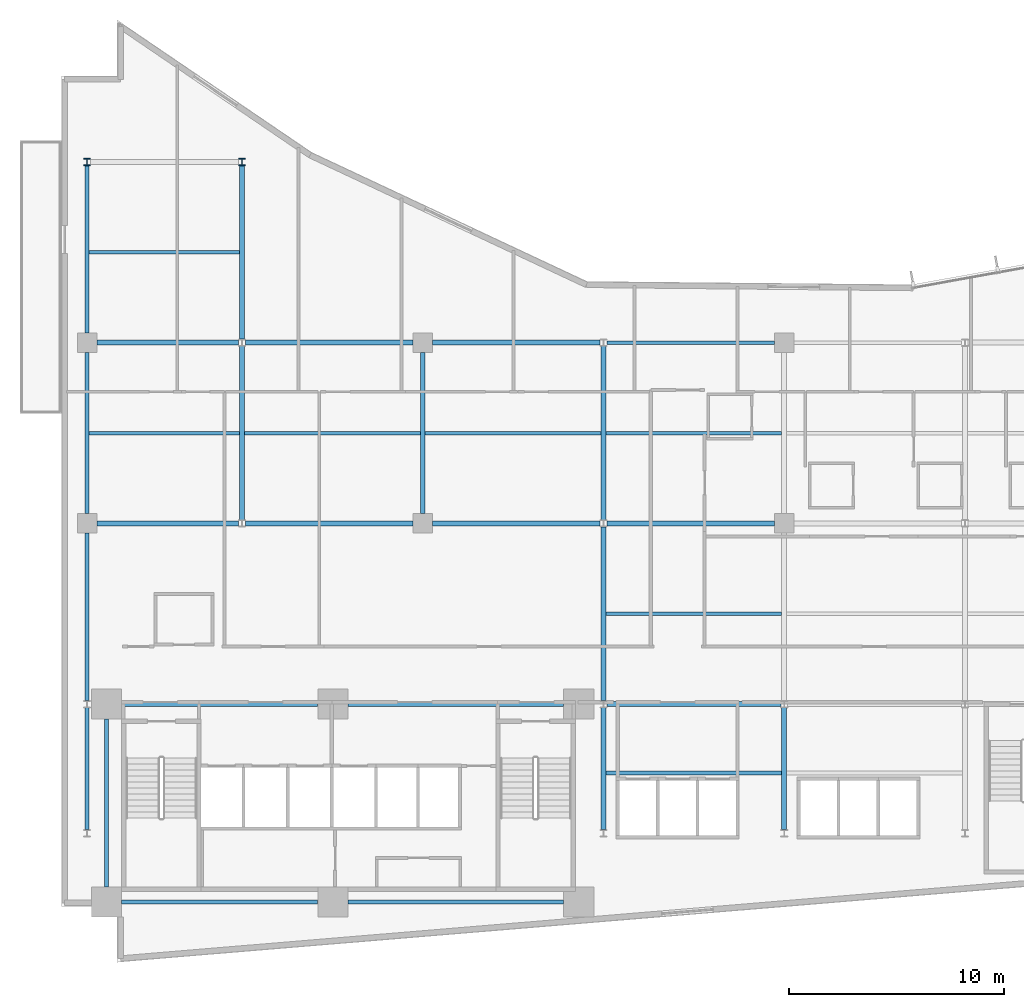
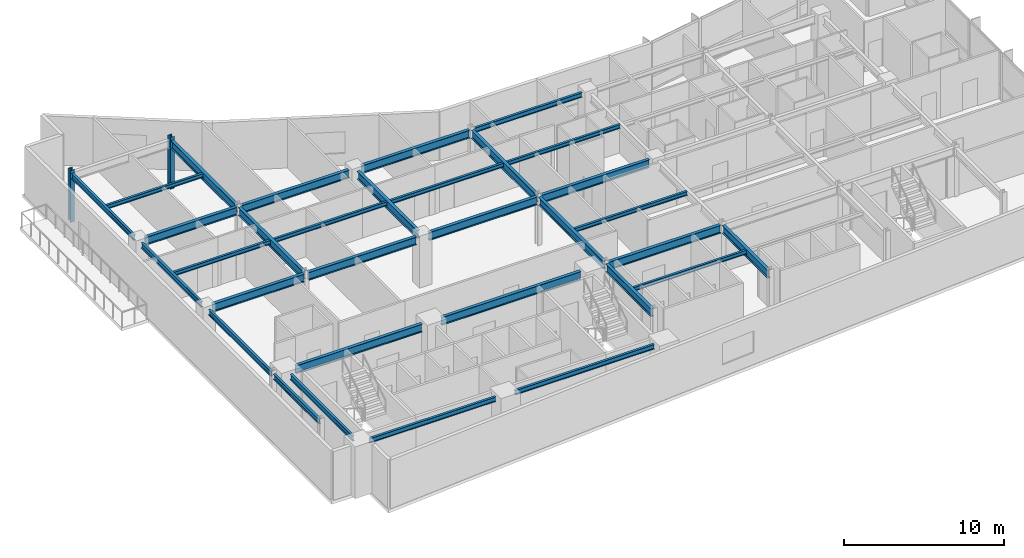
# One storey, part 3 of 22: 32 beams, 2 columns.
"""IFC4 building model written with IfcOpenShell, lengths in metres."""

from ifc_helpers import new_model, si_unit, direction, frame, origin, origin_2d, place, context, subcontext, project, spatial, i_section, extrude, material, material_profile, profile_set, type_object, element, save


model = new_model("IFC4")

# Units and contexts
model_context = context("Model", 3, precision=1e-05, world=origin(), true_north=direction((0.0, 1.0)))
body_context = subcontext(model_context, "Body", "Model", "MODEL_VIEW")
ifc_project = project(units=[si_unit("LENGTHUNIT", "METRE"), si_unit("AREAUNIT", "SQUARE_METRE"), si_unit("VOLUMEUNIT", "CUBIC_METRE"), si_unit("PLANEANGLEUNIT", "RADIAN"), si_unit("MASSUNIT", "GRAM", prefix="KILO")], contexts=[model_context])

# Site, building, storey
site_placement = place(None, origin())
site = spatial("IfcSite", under=ifc_project, at=site_placement, CompositionType="ELEMENT")
building_placement = place(site_placement, origin())
building = spatial("IfcBuilding", under=site, at=building_placement, Name="Varnakote Quay Hospital", CompositionType="ELEMENT")
storey_placement = place(building_placement, frame((0.0, 0.0, 62.0)))
storey = spatial("IfcBuildingStorey", under=building, at=storey_placement, Name="L15", CompositionType="ELEMENT", Elevation=62.0)

# Columns
ifc_material_1 = material(Name="Structural steel AS/NZS 3679.1 Grade 350 L0 (fy 340 MPa)", Category="steel")
ifc_material_profile_1 = material_profile(ifc_material_1, i_section(OverallWidth=0.31103515625, OverallDepth=0.326904296875, WebThickness=0.015625, FlangeThickness=0.02490234375, FilletRadius=0.0166015625, at=origin_2d()), Name="310UC158")
ifc_profile_set_1 = profile_set([ifc_material_profile_1], Name="Structural steel AS/NZS 3679.1 Grade 350 L0 (fy 340 MPa)")
column_type = type_object("IfcColumnType", Name="COL-STL-310UC158", PredefinedType="COLUMN", material=ifc_profile_set_1)
for number, where, z_axis, x_axis, name in (
    (1, (1.199951171875, 37.199951171875, 0.0), (0.0, 0.0, 1.0), (1.0, 0.0, 0.0), "L15 Structural Column C-1-37"),
    (2, (8.39990234375, 37.199951171875, 0.0), (0.0, 0.0, 1.0), (1.0, 0.0, 0.0), "L15 Structural Column C-8-37"),
):
    element("IfcColumn", number, at=place(storey_placement, frame(where, z_axis=z_axis, x_axis=x_axis)), inside=storey, type_object=column_type, Name=name, PredefinedType="COLUMN", context=body_context, shape_type="SweptSolid", body=[
        extrude(i_section(OverallWidth=0.31103515625, OverallDepth=0.326904296875, WebThickness=0.015625, FlangeThickness=0.02490234375, FilletRadius=0.0166015625, at=origin_2d()), origin(), (0.0, 0.0, 1.0), 3.949951171875),
    ])

# Beams
ifc_material_2 = material(Name="Structural steel AS/NZS 3679.1 Grade 350 L0 (fy 340 MPa)", Category="steel")
ifc_material_profile_2 = material_profile(ifc_material_2, i_section(OverallWidth=0.22900390625, OverallDepth=0.612060546875, WebThickness=0.011962890625, FlangeThickness=0.01953125, FilletRadius=0.013916015625, at=origin_2d()), Name="610UB125")
ifc_profile_set_2 = profile_set([ifc_material_profile_2], Name="Structural steel AS/NZS 3679.1 Grade 350 L0 (fy 340 MPa)")
beam_type_1 = type_object("IfcBeamType", Name="BM-STL-610UB125", PredefinedType="BEAM", material=ifc_profile_set_2)
beam_1_placement = place(storey_placement, frame((2.800048828125, 12.0, 3.404052734375), z_axis=(1.0, 0.0, 0.0), x_axis=(0.0, 1.0, 0.0)))
element("IfcBeam", 3, at=beam_1_placement, inside=storey, type_object=beam_type_1, Name="L15 Primary Floor Beam", PredefinedType="BEAM", context=body_context, shape_type="SweptSolid", body=[
    extrude(i_section(OverallWidth=0.22900390625, OverallDepth=0.612060546875, WebThickness=0.011962890625, FlangeThickness=0.01953125, FilletRadius=0.013916015625, at=origin_2d()), origin(), (0.0, 0.0, 1.0), 9.119873046875),
])
beam_2_placement = place(storey_placement, frame((13.320068359375, 12.0, 3.404052734375), z_axis=(1.0, 0.0, 0.0), x_axis=(0.0, 1.0, 0.0)))
element("IfcBeam", 4, at=beam_2_placement, inside=storey, type_object=beam_type_1, Name="L15 Primary Floor Beam", PredefinedType="BEAM", context=body_context, shape_type="SweptSolid", body=[
    extrude(i_section(OverallWidth=0.22900390625, OverallDepth=0.612060546875, WebThickness=0.011962890625, FlangeThickness=0.01953125, FilletRadius=0.013916015625, at=origin_2d()), origin(), (0.0, 0.0, 1.0), 10.030029296875),
])
beam_3_placement = place(storey_placement, frame((25.35546875, 12.0, 3.404052734375), z_axis=(1.0, 0.0, 0.0), x_axis=(0.0, 1.0, 0.0)))
element("IfcBeam", 5, at=beam_3_placement, inside=storey, type_object=beam_type_1, Name="L15 Primary Floor Beam", PredefinedType="BEAM", context=body_context, shape_type="SweptSolid", body=[
    extrude(i_section(OverallWidth=0.22900390625, OverallDepth=0.612060546875, WebThickness=0.011962890625, FlangeThickness=0.01953125, FilletRadius=0.013916015625, at=origin_2d()), origin(), (0.0, 0.0, 1.0), 8.089111328125),
])
beam_4_placement = place(storey_placement, frame((1.64990234375, 20.39990234375, 3.404052734375), z_axis=(1.0, 0.0, 0.0), x_axis=(0.0, 1.0, 0.0)))
element("IfcBeam", 6, at=beam_4_placement, inside=storey, type_object=beam_type_1, Name="L15 Primary Floor Beam", PredefinedType="BEAM", context=body_context, shape_type="SweptSolid", body=[
    extrude(i_section(OverallWidth=0.22900390625, OverallDepth=0.612060546875, WebThickness=0.011962890625, FlangeThickness=0.01953125, FilletRadius=0.013916015625, at=origin_2d()), origin(), (0.0, 0.0, 1.0), 6.594482421875),
])
beam_5_placement = place(storey_placement, frame((8.555419921875, 20.39990234375, 3.404052734375), z_axis=(1.0, 0.0, 0.0), x_axis=(0.0, 1.0, 0.0)))
element("IfcBeam", 7, at=beam_5_placement, inside=storey, type_object=beam_type_1, Name="L15 Primary Floor Beam", PredefinedType="BEAM", context=body_context, shape_type="SweptSolid", body=[
    extrude(i_section(OverallWidth=0.22900390625, OverallDepth=0.612060546875, WebThickness=0.011962890625, FlangeThickness=0.01953125, FilletRadius=0.013916015625, at=origin_2d()), origin(), (0.0, 0.0, 1.0), 7.794677734375),
])
for number, where, z_axis, x_axis, name in (
    (8, (17.25, 20.39990234375, 3.404052734375), (1.0, 0.0, 0.0), (0.0, 1.0, 0.0), "L15 Primary Floor Beam"),
    (9, (25.35546875, 20.39990234375, 3.404052734375), (1.0, 0.0, 0.0), (0.0, 1.0, 0.0), "L15 Primary Floor Beam"),
):
    element("IfcBeam", number, at=place(storey_placement, frame(where, z_axis=z_axis, x_axis=x_axis)), inside=storey, type_object=beam_type_1, Name=name, PredefinedType="BEAM", context=body_context, shape_type="SweptSolid", body=[
        extrude(i_section(OverallWidth=0.22900390625, OverallDepth=0.612060546875, WebThickness=0.011962890625, FlangeThickness=0.01953125, FilletRadius=0.013916015625, at=origin_2d()), origin(), (0.0, 0.0, 1.0), 7.79443359375),
    ])
beam_6_placement = place(storey_placement, frame((1.64990234375, 28.800048828125, 3.404052734375), z_axis=(1.0, 0.0, 0.0), x_axis=(0.0, 1.0, 0.0)))
element("IfcBeam", 10, at=beam_6_placement, inside=storey, type_object=beam_type_1, Name="L15 Primary Floor Beam", PredefinedType="BEAM", context=body_context, shape_type="SweptSolid", body=[
    extrude(i_section(OverallWidth=0.22900390625, OverallDepth=0.612060546875, WebThickness=0.011962890625, FlangeThickness=0.01953125, FilletRadius=0.013916015625, at=origin_2d()), origin(), (0.0, 0.0, 1.0), 6.594482421875),
])
beam_7_placement = place(storey_placement, frame((8.555419921875, 28.800048828125, 3.404052734375), z_axis=(1.0, 0.0, 0.0), x_axis=(0.0, 1.0, 0.0)))
element("IfcBeam", 11, at=beam_7_placement, inside=storey, type_object=beam_type_1, Name="L15 Primary Floor Beam", PredefinedType="BEAM", context=body_context, shape_type="SweptSolid", body=[
    extrude(i_section(OverallWidth=0.22900390625, OverallDepth=0.612060546875, WebThickness=0.011962890625, FlangeThickness=0.01953125, FilletRadius=0.013916015625, at=origin_2d()), origin(), (0.0, 0.0, 1.0), 7.794677734375),
])
beam_8_placement = place(storey_placement, frame((17.25, 28.800048828125, 3.404052734375), z_axis=(1.0, 0.0, 0.0), x_axis=(0.0, 1.0, 0.0)))
element("IfcBeam", 12, at=beam_8_placement, inside=storey, type_object=beam_type_1, Name="L15 Primary Floor Beam", PredefinedType="BEAM", context=body_context, shape_type="SweptSolid", body=[
    extrude(i_section(OverallWidth=0.22900390625, OverallDepth=0.612060546875, WebThickness=0.011962890625, FlangeThickness=0.01953125, FilletRadius=0.013916015625, at=origin_2d()), origin(), (0.0, 0.0, 1.0), 7.79443359375),
])
beam_9_placement = place(storey_placement, frame((8.39990234375, 20.5634765625, 3.404052734375), z_axis=(0.0, 1.0, 0.0), x_axis=(-1.0, 0.0, 0.0)))
element("IfcBeam", 13, at=beam_9_placement, inside=storey, type_object=beam_type_1, Name="L15 Primary Tie Beam", PredefinedType="BEAM", context=body_context, shape_type="SweptSolid", body=[
    extrude(i_section(OverallWidth=0.22900390625, OverallDepth=0.612060546875, WebThickness=0.011962890625, FlangeThickness=0.01953125, FilletRadius=0.013916015625, at=origin_2d()), origin(), (0.0, 0.0, 1.0), 8.072998046875),
])
beam_10_placement = place(storey_placement, frame((8.39990234375, 28.96337890625, 3.404052734375), z_axis=(0.0, 1.0, 0.0), x_axis=(-1.0, 0.0, 0.0)))
element("IfcBeam", 14, at=beam_10_placement, inside=storey, type_object=beam_type_1, Name="L15 Primary Tie Beam", PredefinedType="BEAM", context=body_context, shape_type="SweptSolid", body=[
    extrude(i_section(OverallWidth=0.22900390625, OverallDepth=0.612060546875, WebThickness=0.011962890625, FlangeThickness=0.01953125, FilletRadius=0.013916015625, at=origin_2d()), origin(), (0.0, 0.0, 1.0), 8.0732421875),
])
beam_11_placement = place(storey_placement, frame((16.800048828125, 20.85009765625, 3.404052734375), z_axis=(0.0, 1.0, 0.0), x_axis=(-1.0, 0.0, 0.0)))
element("IfcBeam", 15, at=beam_11_placement, inside=storey, type_object=beam_type_1, Name="L15 Primary Tie Beam", PredefinedType="BEAM", context=body_context, shape_type="SweptSolid", body=[
    extrude(i_section(OverallWidth=0.22900390625, OverallDepth=0.612060546875, WebThickness=0.011962890625, FlangeThickness=0.01953125, FilletRadius=0.013916015625, at=origin_2d()), origin(), (0.0, 0.0, 1.0), 7.5),
])
beam_12_placement = place(storey_placement, frame((25.199951171875, 6.16357421875, 3.404052734375), z_axis=(0.0, 1.0, 0.0), x_axis=(-1.0, 0.0, 0.0)))
element("IfcBeam", 16, at=beam_12_placement, inside=storey, type_object=beam_type_1, Name="L15 Primary Tie Beam", PredefinedType="BEAM", context=body_context, shape_type="SweptSolid", body=[
    extrude(i_section(OverallWidth=0.22900390625, OverallDepth=0.612060546875, WebThickness=0.011962890625, FlangeThickness=0.01953125, FilletRadius=0.013916015625, at=origin_2d()), origin(), (0.0, 0.0, 1.0), 5.6728515625),
])
for number, where, z_axis, x_axis, name in (
    (17, (25.199951171875, 12.16357421875, 3.404052734375), (0.0, 1.0, 0.0), (-1.0, 0.0, 0.0), "L15 Primary Tie Beam"),
    (18, (25.199951171875, 20.5634765625, 3.404052734375), (0.0, 1.0, 0.0), (-1.0, 0.0, 0.0), "L15 Primary Tie Beam"),
):
    element("IfcBeam", number, at=place(storey_placement, frame(where, z_axis=z_axis, x_axis=x_axis)), inside=storey, type_object=beam_type_1, Name=name, PredefinedType="BEAM", context=body_context, shape_type="SweptSolid", body=[
        extrude(i_section(OverallWidth=0.22900390625, OverallDepth=0.612060546875, WebThickness=0.011962890625, FlangeThickness=0.01953125, FilletRadius=0.013916015625, at=origin_2d()), origin(), (0.0, 0.0, 1.0), 8.072998046875),
    ])
beam_13_placement = place(storey_placement, frame((33.60009765625, 6.16357421875, 3.404052734375), z_axis=(0.0, 1.0, 0.0), x_axis=(-1.0, 0.0, 0.0)))
element("IfcBeam", 19, at=beam_13_placement, inside=storey, type_object=beam_type_1, Name="L15 Primary Tie Beam", PredefinedType="BEAM", context=body_context, shape_type="SweptSolid", body=[
    extrude(i_section(OverallWidth=0.22900390625, OverallDepth=0.612060546875, WebThickness=0.011962890625, FlangeThickness=0.01953125, FilletRadius=0.013916015625, at=origin_2d()), origin(), (0.0, 0.0, 1.0), 5.6728515625),
])
ifc_material_3 = material(Name="Structural steel AS/NZS 3679.1 Grade 350 L0 (fy 340 MPa)", Category="steel")
ifc_material_profile_3 = material_profile(ifc_material_3, i_section(OverallWidth=0.1650390625, OverallDepth=0.303955078125, WebThickness=0.006103515625, FlangeThickness=0.01025390625, FilletRadius=0.011474609375, at=origin_2d()), Name="310UB40.4")
ifc_profile_set_3 = profile_set([ifc_material_profile_3], Name="Structural steel AS/NZS 3679.1 Grade 350 L0 (fy 340 MPa)")
beam_type_2 = type_object("IfcBeamType", Name="JST-STL-310UB40-4", PredefinedType="JOIST", material=ifc_profile_set_3)
for number, where, z_axis, x_axis, name in (
    (20, (25.314453125, 8.800048828125, 3.55810546875), (1.0, 0.0, 0.0), (0.0, 1.0, 0.0), "L15 Composite Floor Joist"),
    (21, (25.314453125, 16.199951171875, 3.55810546875), (1.0, 0.0, 0.0), (0.0, 1.0, 0.0), "L15 Composite Floor Joist"),
):
    element("IfcBeam", number, at=place(storey_placement, frame(where, z_axis=z_axis, x_axis=x_axis)), inside=storey, type_object=beam_type_2, Name=name, PredefinedType="JOIST", context=body_context, shape_type="SweptSolid", body=[
        extrude(i_section(OverallWidth=0.1650390625, OverallDepth=0.303955078125, WebThickness=0.006103515625, FlangeThickness=0.01025390625, FilletRadius=0.011474609375, at=origin_2d()), origin(), (0.0, 0.0, 1.0), 8.171142578125),
    ])
beam_14_placement = place(storey_placement, frame((1.2890625, 24.60009765625, 3.55810546875), z_axis=(1.0, 0.0, 0.0), x_axis=(0.0, 1.0, 0.0)))
element("IfcBeam", 22, at=beam_14_placement, inside=storey, type_object=beam_type_2, Name="L15 Composite Floor Joist", PredefinedType="JOIST", context=body_context, shape_type="SweptSolid", body=[
    extrude(i_section(OverallWidth=0.1650390625, OverallDepth=0.303955078125, WebThickness=0.006103515625, FlangeThickness=0.01025390625, FilletRadius=0.011474609375, at=origin_2d()), origin(), (0.0, 0.0, 1.0), 6.996337890625),
])
beam_15_placement = place(storey_placement, frame((8.514404296875, 24.60009765625, 3.55810546875), z_axis=(1.0, 0.0, 0.0), x_axis=(0.0, 1.0, 0.0)))
element("IfcBeam", 23, at=beam_15_placement, inside=storey, type_object=beam_type_2, Name="L15 Composite Floor Joist", PredefinedType="JOIST", context=body_context, shape_type="SweptSolid", body=[
    extrude(i_section(OverallWidth=0.1650390625, OverallDepth=0.303955078125, WebThickness=0.006103515625, FlangeThickness=0.01025390625, FilletRadius=0.011474609375, at=origin_2d()), origin(), (0.0, 0.0, 1.0), 8.171142578125),
])
beam_16_placement = place(storey_placement, frame((16.91455078125, 24.60009765625, 3.55810546875), z_axis=(1.0, 0.0, 0.0), x_axis=(0.0, 1.0, 0.0)))
element("IfcBeam", 24, at=beam_16_placement, inside=storey, type_object=beam_type_2, Name="L15 Composite Floor Joist", PredefinedType="JOIST", context=body_context, shape_type="SweptSolid", body=[
    extrude(i_section(OverallWidth=0.1650390625, OverallDepth=0.303955078125, WebThickness=0.006103515625, FlangeThickness=0.01025390625, FilletRadius=0.011474609375, at=origin_2d()), origin(), (0.0, 0.0, 1.0), 8.1708984375),
])
beam_17_placement = place(storey_placement, frame((25.314453125, 24.60009765625, 3.55810546875), z_axis=(1.0, 0.0, 0.0), x_axis=(0.0, 1.0, 0.0)))
element("IfcBeam", 25, at=beam_17_placement, inside=storey, type_object=beam_type_2, Name="L15 Composite Floor Joist", PredefinedType="JOIST", context=body_context, shape_type="SweptSolid", body=[
    extrude(i_section(OverallWidth=0.1650390625, OverallDepth=0.303955078125, WebThickness=0.006103515625, FlangeThickness=0.01025390625, FilletRadius=0.011474609375, at=origin_2d()), origin(), (0.0, 0.0, 1.0), 8.171142578125),
])
beam_18_placement = place(storey_placement, frame((1.2890625, 33.0, 3.55810546875), z_axis=(1.0, 0.0, 0.0), x_axis=(0.0, 1.0, 0.0)))
element("IfcBeam", 26, at=beam_18_placement, inside=storey, type_object=beam_type_2, Name="L15 Composite Floor Joist", PredefinedType="JOIST", context=body_context, shape_type="SweptSolid", body=[
    extrude(i_section(OverallWidth=0.1650390625, OverallDepth=0.303955078125, WebThickness=0.006103515625, FlangeThickness=0.01025390625, FilletRadius=0.011474609375, at=origin_2d()), origin(), (0.0, 0.0, 1.0), 6.996337890625),
])
ifc_material_4 = material(Name="Structural steel AS/NZS 3679.1 Grade 350 L0 (fy 340 MPa)", Category="steel")
ifc_material_profile_4 = material_profile(ifc_material_4, i_section(OverallWidth=0.172119140625, OverallDepth=0.35888671875, WebThickness=0.008056640625, FlangeThickness=0.012939453125, FilletRadius=0.011474609375, at=origin_2d()), Name="360UB56.7")
ifc_profile_set_4 = profile_set([ifc_material_profile_4], Name="Structural steel AS/NZS 3679.1 Grade 350 L0 (fy 340 MPa)")
beam_type_3 = type_object("IfcBeamType", Name="SPN-STL-360UB56-7", PredefinedType="SPANDREL", material=ifc_profile_set_4)
beam_19_placement = place(storey_placement, frame((2.800048828125, 2.800048828125, 3.530517578125), z_axis=(1.0, 0.0, 0.0), x_axis=(0.0, 1.0, 0.0)))
element("IfcBeam", 27, at=beam_19_placement, inside=storey, type_object=beam_type_3, Name="L15 Perimeter Spandrel Beam", PredefinedType="SPANDREL", context=body_context, shape_type="SweptSolid", body=[
    extrude(i_section(OverallWidth=0.172119140625, OverallDepth=0.35888671875, WebThickness=0.008056640625, FlangeThickness=0.012939453125, FilletRadius=0.011474609375, at=origin_2d()), origin(), (0.0, 0.0, 1.0), 9.119873046875),
])
beam_20_placement = place(storey_placement, frame((13.320068359375, 2.800048828125, 3.530517578125), z_axis=(1.0, 0.0, 0.0), x_axis=(0.0, 1.0, 0.0)))
element("IfcBeam", 28, at=beam_20_placement, inside=storey, type_object=beam_type_3, Name="L15 Perimeter Spandrel Beam", PredefinedType="SPANDREL", context=body_context, shape_type="SweptSolid", body=[
    extrude(i_section(OverallWidth=0.172119140625, OverallDepth=0.35888671875, WebThickness=0.008056640625, FlangeThickness=0.012939453125, FilletRadius=0.011474609375, at=origin_2d()), origin(), (0.0, 0.0, 1.0), 10.030029296875),
])
beam_21_placement = place(storey_placement, frame((25.35546875, 28.800048828125, 3.530517578125), z_axis=(1.0, 0.0, 0.0), x_axis=(0.0, 1.0, 0.0)))
element("IfcBeam", 29, at=beam_21_placement, inside=storey, type_object=beam_type_3, Name="L15 Perimeter Spandrel Beam", PredefinedType="SPANDREL", context=body_context, shape_type="SweptSolid", body=[
    extrude(i_section(OverallWidth=0.172119140625, OverallDepth=0.35888671875, WebThickness=0.008056640625, FlangeThickness=0.012939453125, FilletRadius=0.011474609375, at=origin_2d()), origin(), (0.0, 0.0, 1.0), 7.79443359375),
])
ifc_material_5 = material(Name="Structural steel AS/NZS 3679.1 Grade 350 L0 (fy 340 MPa)", Category="steel")
ifc_material_profile_5 = material_profile(ifc_material_5, i_section(OverallWidth=0.177978515625, OverallDepth=0.403076171875, WebThickness=0.007568359375, FlangeThickness=0.010986328125, FilletRadius=0.011474609375, at=origin_2d()), Name="410UB53.7")
ifc_profile_set_5 = profile_set([ifc_material_profile_5], Name="Structural steel AS/NZS 3679.1 Grade 350 L0 (fy 340 MPa)")
beam_type_4 = type_object("IfcBeamType", Name="SPN-STL-410UB53-7", PredefinedType="SPANDREL", material=ifc_profile_set_5)
beam_22_placement = place(storey_placement, frame((1.199951171875, 6.16357421875, 3.508544921875), z_axis=(0.0, 1.0, 0.0), x_axis=(-1.0, 0.0, 0.0)))
element("IfcBeam", 30, at=beam_22_placement, inside=storey, type_object=beam_type_4, Name="L15 Perimeter Spandrel Beam", PredefinedType="SPANDREL", context=body_context, shape_type="SweptSolid", body=[
    extrude(i_section(OverallWidth=0.177978515625, OverallDepth=0.403076171875, WebThickness=0.007568359375, FlangeThickness=0.010986328125, FilletRadius=0.011474609375, at=origin_2d()), origin(), (0.0, 0.0, 1.0), 5.6728515625),
])
beam_23_placement = place(storey_placement, frame((1.199951171875, 12.16357421875, 3.508544921875), z_axis=(0.0, 1.0, 0.0), x_axis=(-1.0, 0.0, 0.0)))
element("IfcBeam", 31, at=beam_23_placement, inside=storey, type_object=beam_type_4, Name="L15 Perimeter Spandrel Beam", PredefinedType="SPANDREL", context=body_context, shape_type="SweptSolid", body=[
    extrude(i_section(OverallWidth=0.177978515625, OverallDepth=0.403076171875, WebThickness=0.007568359375, FlangeThickness=0.010986328125, FilletRadius=0.011474609375, at=origin_2d()), origin(), (0.0, 0.0, 1.0), 7.786376953125),
])
beam_24_placement = place(storey_placement, frame((1.199951171875, 20.85009765625, 3.508544921875), z_axis=(0.0, 1.0, 0.0), x_axis=(-1.0, 0.0, 0.0)))
element("IfcBeam", 32, at=beam_24_placement, inside=storey, type_object=beam_type_4, Name="L15 Perimeter Spandrel Beam", PredefinedType="SPANDREL", context=body_context, shape_type="SweptSolid", body=[
    extrude(i_section(OverallWidth=0.177978515625, OverallDepth=0.403076171875, WebThickness=0.007568359375, FlangeThickness=0.010986328125, FilletRadius=0.011474609375, at=origin_2d()), origin(), (0.0, 0.0, 1.0), 7.5),
])
beam_25_placement = place(storey_placement, frame((1.199951171875, 29.25, 3.508544921875), z_axis=(0.0, 1.0, 0.0), x_axis=(-1.0, 0.0, 0.0)))
element("IfcBeam", 33, at=beam_25_placement, inside=storey, type_object=beam_type_4, Name="L15 Perimeter Spandrel Beam", PredefinedType="SPANDREL", context=body_context, shape_type="SweptSolid", body=[
    extrude(i_section(OverallWidth=0.177978515625, OverallDepth=0.403076171875, WebThickness=0.007568359375, FlangeThickness=0.010986328125, FilletRadius=0.011474609375, at=origin_2d()), origin(), (0.0, 0.0, 1.0), 7.78662109375),
])
beam_26_placement = place(storey_placement, frame((2.10009765625, 3.5, 3.508544921875), z_axis=(0.0, 1.0, 0.0), x_axis=(-1.0, 0.0, 0.0)))
element("IfcBeam", 34, at=beam_26_placement, inside=storey, type_object=beam_type_4, Name="L15 Perimeter Spandrel Beam", PredefinedType="SPANDREL", context=body_context, shape_type="SweptSolid", body=[
    extrude(i_section(OverallWidth=0.177978515625, OverallDepth=0.403076171875, WebThickness=0.007568359375, FlangeThickness=0.010986328125, FilletRadius=0.011474609375, at=origin_2d()), origin(), (0.0, 0.0, 1.0), 7.800048828125),
])

save(model, "model.ifc")
